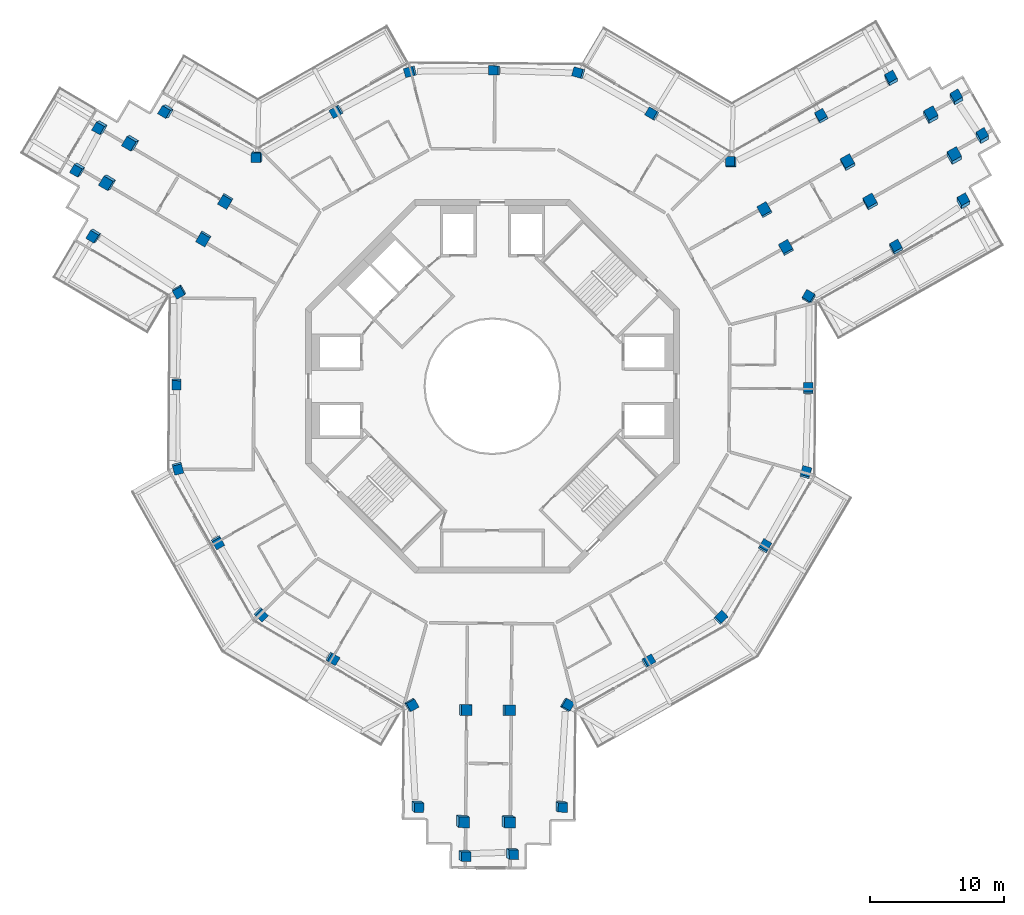
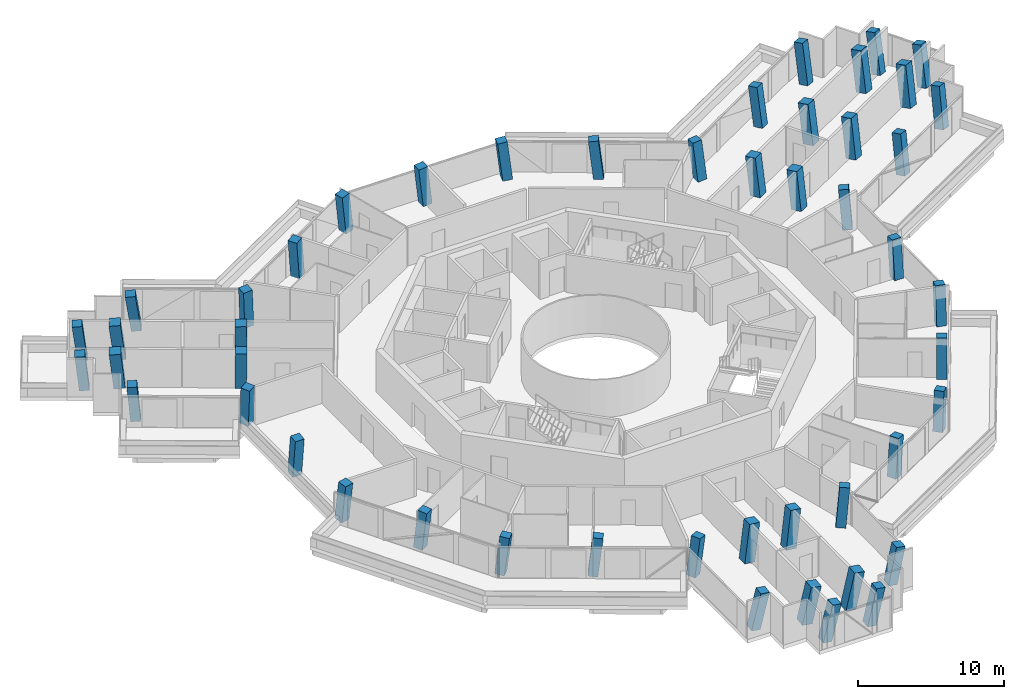
# One storey, part 1 of 24: 49 columns.
"""IFC4 building model written with IfcOpenShell, lengths in metres."""

from ifc_helpers import new_model, si_unit, direction, frame, origin, origin_2d, place, context, subcontext, project, spatial, rectangle, extrude, material, material_profile, profile_set, type_object, element, save


model = new_model("IFC4")

# Units and contexts
model_context = context("Model", 3, precision=1e-05, world=origin(), true_north=direction((0.0, 1.0)))
body_context = subcontext(model_context, "Body", "Model", "MODEL_VIEW")
ifc_project = project(units=[si_unit("LENGTHUNIT", "METRE"), si_unit("AREAUNIT", "SQUARE_METRE"), si_unit("VOLUMEUNIT", "CUBIC_METRE"), si_unit("PLANEANGLEUNIT", "RADIAN"), si_unit("MASSUNIT", "GRAM", prefix="KILO")], contexts=[model_context])

# Site, building, storey
site_placement = place(None, origin())
site = spatial("IfcSite", under=ifc_project, at=site_placement, CompositionType="ELEMENT")
building_placement = place(site_placement, origin())
building = spatial("IfcBuilding", under=site, at=building_placement, Name="Verdalira Terraces Hotel", CompositionType="ELEMENT")
storey_placement = place(building_placement, frame((0.0, 0.0, 277.5)))
storey = spatial("IfcBuildingStorey", under=building, at=storey_placement, Name="L68", CompositionType="ELEMENT", Elevation=277.5)

# Columns
ifc_material_1 = material(Name="Concrete C50", Category="concrete")
ifc_material_profile_1 = material_profile(ifc_material_1, rectangle(XDim=0.699951, YDim=0.699951, at=origin_2d()), Name="RC 700X700")
ifc_profile_set_1 = profile_set([ifc_material_profile_1], Name="Concrete C50")
column_type_1 = type_object("IfcColumnType", Name="Column RC 700X700 C50", PredefinedType="COLUMN", material=ifc_profile_set_1)
column_1_placement = place(storey_placement, frame((-24.36499, 20.618164, 0.0), z_axis=(-0.18653119, -0.06377776, 0.98037672), x_axis=(-0.844744862, 0.51990549, -0.126903112)))
element("IfcColumn", 1, at=column_1_placement, inside=storey, type_object=column_type_1, Name="Column C01", PredefinedType="COLUMN", context=body_context, shape_type="SweptSolid", body=[
    extrude(rectangle(XDim=0.699951, YDim=0.699951, at=origin_2d()), origin(), (0.0, 0.0, 1.0), 3.253906),
])
column_2_placement = place(storey_placement, frame((-29.798584, 11.307617, 0.0), z_axis=(-0.143399886, -0.089389198, 0.985619624), x_axis=(0.853046935, -0.516076127, 0.077306904)))
element("IfcColumn", 2, at=column_2_placement, inside=storey, type_object=column_type_1, Name="Column C02", PredefinedType="COLUMN", context=body_context, shape_type="SweptSolid", body=[
    extrude(rectangle(XDim=0.699951, YDim=0.699951, at=origin_2d()), origin(), (0.0, 0.0, 1.0), 3.236572),
])
column_3_placement = place(storey_placement, frame((-23.459473, 7.124023, 0.0), z_axis=(-0.032913562, -0.111814895, 0.993183833), x_axis=(-0.497183816, 0.863876563, 0.080780792)))
element("IfcColumn", 3, at=column_3_placement, inside=storey, type_object=column_type_1, Name="Column C03", PredefinedType="COLUMN", context=body_context, shape_type="SweptSolid", body=[
    extrude(rectangle(XDim=0.699951, YDim=0.699951, at=origin_2d()), origin(), (0.0, 0.0, 1.0), 3.211914),
])
column_4_placement = place(storey_placement, frame((-23.657471, 0.198242, 0.0), z_axis=(0.0, -0.112551351, 0.99364591), x_axis=(-0.008431586, -0.993610589, -0.11254735)))
element("IfcColumn", 4, at=column_4_placement, inside=storey, type_object=column_type_1, Name="Column C04", PredefinedType="COLUMN", context=body_context, shape_type="SweptSolid", body=[
    extrude(rectangle(XDim=0.699951, YDim=0.699951, at=origin_2d()), origin(), (0.0, 0.0, 1.0), 3.210449),
])
column_5_placement = place(storey_placement, frame((-23.570312, -6.104492, 0.0), z_axis=(0.029951852, -0.111825315, 0.993276389), x_axis=(-0.248830254, 0.961604099, 0.115762953)))
element("IfcColumn", 5, at=column_5_placement, inside=storey, type_object=column_type_1, Name="Column C05", PredefinedType="COLUMN", context=body_context, shape_type="SweptSolid", body=[
    extrude(rectangle(XDim=0.699951, YDim=0.699951, at=origin_2d()), origin(), (0.0, 0.0, 1.0), 3.211426),
])
column_6_placement = place(storey_placement, frame((-20.587158, -11.656982, 0.0), z_axis=(0.056275557, -0.097493601, 0.993643829), x_axis=(0.4894198, -0.864752693, -0.112565713)))
element("IfcColumn", 6, at=column_6_placement, inside=storey, type_object=column_type_1, Name="Column C06", PredefinedType="COLUMN", context=body_context, shape_type="SweptSolid", body=[
    extrude(rectangle(XDim=0.699951, YDim=0.699951, at=origin_2d()), origin(), (0.0, 0.0, 1.0), 3.210449),
])
column_7_placement = place(storey_placement, frame((-17.360107, -17.071777, 0.0), z_axis=(0.081797768, -0.081873788, 0.993280327), x_axis=(-0.696037958, 0.708616908, 0.115729164)))
element("IfcColumn", 7, at=column_7_placement, inside=storey, type_object=column_type_1, Name="Column C07", PredefinedType="COLUMN", context=body_context, shape_type="SweptSolid", body=[
    extrude(rectangle(XDim=0.699951, YDim=0.699951, at=origin_2d()), origin(), (0.0, 0.0, 1.0), 3.211426),
])
column_8_placement = place(storey_placement, frame((-12.000488, -20.388916, 0.0), z_axis=(0.097493601, -0.056275557, 0.993643829), x_axis=(0.8563225, -0.504024539, -0.112565713)))
element("IfcColumn", 8, at=column_8_placement, inside=storey, type_object=column_type_1, Name="Column C08", PredefinedType="COLUMN", context=body_context, shape_type="SweptSolid", body=[
    extrude(rectangle(XDim=0.699951, YDim=0.699951, at=origin_2d()), origin(), (0.0, 0.0, 1.0), 3.210449),
])
column_9_placement = place(storey_placement, frame((-6.100098, -23.861816, 0.0), z_axis=(0.113632685, -0.028047131, 0.993126866), x_axis=(-0.485091763, 0.870787363, 0.080095877)))
element("IfcColumn", 9, at=column_9_placement, inside=storey, type_object=column_type_1, Name="Column C09", PredefinedType="COLUMN", context=body_context, shape_type="SweptSolid", body=[
    extrude(rectangle(XDim=0.699951, YDim=0.699951, at=origin_2d()), origin(), (0.0, 0.0, 1.0), 3.211914),
])
column_10_placement = place(storey_placement, frame((-5.67334, -31.409912, 0.0), z_axis=(0.148489745, -0.129656533, 0.980377468), x_axis=(-0.027926047, -0.991522236, -0.126900718)))
element("IfcColumn", 10, at=column_10_placement, inside=storey, type_object=column_type_1, Name="Column C10", PredefinedType="COLUMN", context=body_context, shape_type="SweptSolid", body=[
    extrude(rectangle(XDim=0.699951, YDim=0.699951, at=origin_2d()), origin(), (0.0, 0.0, 1.0), 3.253906),
])
column_11_placement = place(storey_placement, frame((-2.164062, -35.099609, 0.0), z_axis=(0.165561418, -0.112848702, 0.979721689), x_axis=(0.98616634, 0.010799957, -0.165406501)))
element("IfcColumn", 11, at=column_11_placement, inside=storey, type_object=column_type_1, Name="Column C11", PredefinedType="COLUMN", context=body_context, shape_type="SweptSolid", body=[
    extrude(rectangle(XDim=0.699951, YDim=0.699951, at=origin_2d()), origin(), (0.0, 0.0, 1.0), 3.255859),
])
column_12_placement = place(storey_placement, frame((1.416992, -34.969482, 0.0), z_axis=(0.1651939, -0.096306767, 0.981547748), x_axis=(0.986227063, 0.007861, -0.165210126)))
element("IfcColumn", 12, at=column_12_placement, inside=storey, type_object=column_type_1, Name="Column C12", PredefinedType="COLUMN", context=body_context, shape_type="SweptSolid", body=[
    extrude(rectangle(XDim=0.699951, YDim=0.699951, at=origin_2d()), origin(), (0.0, 0.0, 1.0), 3.25),
])
column_13_placement = place(storey_placement, frame((5.106689, -31.460205, 0.0), z_axis=(0.149059398, -0.079432969, 0.985632639), x_axis=(0.020241421, 0.996804543, 0.077272167)))
element("IfcColumn", 13, at=column_13_placement, inside=storey, type_object=column_type_1, Name="Column C13", PredefinedType="COLUMN", context=body_context, shape_type="SweptSolid", body=[
    extrude(rectangle(XDim=0.699951, YDim=0.699951, at=origin_2d()), origin(), (0.0, 0.0, 1.0), 3.236328),
])
column_14_placement = place(storey_placement, frame((5.560303, -23.878418, 0.0), z_axis=(0.113259672, 0.027364753, 0.99318851), x_axis=(-0.499773738, -0.862383405, 0.080753168)))
element("IfcColumn", 14, at=column_14_placement, inside=storey, type_object=column_type_1, Name="Column C14", PredefinedType="COLUMN", context=body_context, shape_type="SweptSolid", body=[
    extrude(rectangle(XDim=0.699951, YDim=0.699951, at=origin_2d()), origin(), (0.0, 0.0, 1.0), 3.211914),
])
column_15_placement = place(storey_placement, frame((11.656982, -20.587158, 0.0), z_axis=(0.097493601, 0.056275557, 0.993643829), x_axis=(0.864752693, 0.4894198, -0.112565713)))
element("IfcColumn", 15, at=column_15_placement, inside=storey, type_object=column_type_1, Name="Column C15", PredefinedType="COLUMN", context=body_context, shape_type="SweptSolid", body=[
    extrude(rectangle(XDim=0.699951, YDim=0.699951, at=origin_2d()), origin(), (0.0, 0.0, 1.0), 3.210449),
])
column_16_placement = place(storey_placement, frame((17.071777, -17.360107, 0.0), z_axis=(0.081873788, 0.081797768, 0.993280327), x_axis=(-0.708616908, -0.696037958, 0.115729164)))
element("IfcColumn", 16, at=column_16_placement, inside=storey, type_object=column_type_1, Name="Column C16", PredefinedType="COLUMN", context=body_context, shape_type="SweptSolid", body=[
    extrude(rectangle(XDim=0.699951, YDim=0.699951, at=origin_2d()), origin(), (0.0, 0.0, 1.0), 3.211426),
])
column_17_placement = place(storey_placement, frame((20.388916, -12.000488, 0.0), z_axis=(0.056275557, 0.097493601, 0.993643829), x_axis=(0.504024539, 0.8563225, -0.112565713)))
element("IfcColumn", 17, at=column_17_placement, inside=storey, type_object=column_type_1, Name="Column C17", PredefinedType="COLUMN", context=body_context, shape_type="SweptSolid", body=[
    extrude(rectangle(XDim=0.699951, YDim=0.699951, at=origin_2d()), origin(), (0.0, 0.0, 1.0), 3.210449),
])
column_18_placement = place(storey_placement, frame((23.4646, -6.498535, 0.0), z_axis=(0.029951852, 0.111825315, 0.993276389), x_axis=(-0.265122623, -0.95724027, 0.115762953)))
element("IfcColumn", 18, at=column_18_placement, inside=storey, type_object=column_type_1, Name="Column C18", PredefinedType="COLUMN", context=body_context, shape_type="SweptSolid", body=[
    extrude(rectangle(XDim=0.699951, YDim=0.699951, at=origin_2d()), origin(), (0.0, 0.0, 1.0), 3.211426),
])
column_19_placement = place(storey_placement, frame((23.657471, -0.198242, 0.0), z_axis=(0.0, 0.112551351, 0.99364591), x_axis=(0.008431586, 0.993610589, -0.11254735)))
element("IfcColumn", 19, at=column_19_placement, inside=storey, type_object=column_type_1, Name="Column C19", PredefinedType="COLUMN", context=body_context, shape_type="SweptSolid", body=[
    extrude(rectangle(XDim=0.699951, YDim=0.699951, at=origin_2d()), origin(), (0.0, 0.0, 1.0), 3.210449),
])
column_20_placement = place(storey_placement, frame((23.714844, 6.647949, 0.0), z_axis=(-0.032531406, 0.112491779, 0.993119986), x_axis=(-0.511667819, -0.855438072, 0.080135812)))
element("IfcColumn", 20, at=column_20_placement, inside=storey, type_object=column_type_1, Name="Column C20", PredefinedType="COLUMN", context=body_context, shape_type="SweptSolid", body=[
    extrude(rectangle(XDim=0.699951, YDim=0.699951, at=origin_2d()), origin(), (0.0, 0.0, 1.0), 3.212158),
])
column_21_placement = place(storey_placement, frame((30.23291, 10.338623, 0.0), z_axis=(-0.004827844, 0.168823656, 0.985634448), x_axis=(0.873293774, 0.480894592, -0.078092094)))
element("IfcColumn", 21, at=column_21_placement, inside=storey, type_object=column_type_1, Name="Column C21", PredefinedType="COLUMN", context=body_context, shape_type="SweptSolid", body=[
    extrude(rectangle(XDim=0.699951, YDim=0.699951, at=origin_2d()), origin(), (0.0, 0.0, 1.0), 3.236328),
])
column_22_placement = place(storey_placement, frame((35.259521, 13.748047, 0.0), z_axis=(0.023826578, 0.21682933, 0.975918714), x_axis=(0.874343602, 0.468798431, -0.125504168)))
element("IfcColumn", 22, at=column_22_placement, inside=storey, type_object=column_type_1, Name="Column C22", PredefinedType="COLUMN", context=body_context, shape_type="SweptSolid", body=[
    extrude(rectangle(XDim=0.699951, YDim=0.699951, at=origin_2d()), origin(), (0.0, 0.0, 1.0), 3.268555),
])
column_23_placement = place(storey_placement, frame((36.700195, 18.631836, 0.0), z_axis=(0.000895257, 0.22314274, 0.974785369), x_axis=(-0.5025313, 0.842860095, -0.192481568)))
element("IfcColumn", 23, at=column_23_placement, inside=storey, type_object=column_type_1, Name="Column C23", PredefinedType="COLUMN", context=body_context, shape_type="SweptSolid", body=[
    extrude(rectangle(XDim=0.699951, YDim=0.699951, at=origin_2d()), origin(), (0.0, 0.0, 1.0), 3.272461),
])
column_24_placement = place(storey_placement, frame((34.759277, 21.531982, 0.0), z_axis=(-0.012557821, 0.214379952, 0.976669615), x_axis=(-0.499665319, 0.844708463, -0.191838944)))
element("IfcColumn", 24, at=column_24_placement, inside=storey, type_object=column_type_1, Name="Column C24", PredefinedType="COLUMN", context=body_context, shape_type="SweptSolid", body=[
    extrude(rectangle(XDim=0.699951, YDim=0.699951, at=origin_2d()), origin(), (0.0, 0.0, 1.0), 3.266113),
])
column_25_placement = place(storey_placement, frame((29.875488, 22.972656, 0.0), z_axis=(-0.019223434, 0.192309429, 0.981146036), x_axis=(-0.874260531, -0.479339798, 0.076823705)))
element("IfcColumn", 25, at=column_25_placement, inside=storey, type_object=column_type_1, Name="Column C25", PredefinedType="COLUMN", context=body_context, shape_type="SweptSolid", body=[
    extrude(rectangle(XDim=0.699951, YDim=0.699951, at=origin_2d()), origin(), (0.0, 0.0, 1.0), 3.251221),
])
column_26_placement = place(storey_placement, frame((24.665039, 20.171875, 0.0), z_axis=(-0.051140733, 0.142528315, 0.988468667), x_axis=(-0.871779432, -0.489237593, 0.025440129)))
element("IfcColumn", 26, at=column_26_placement, inside=storey, type_object=column_type_1, Name="Column C26", PredefinedType="COLUMN", context=body_context, shape_type="SweptSolid", body=[
    extrude(rectangle(XDim=0.699951, YDim=0.699951, at=origin_2d()), origin(), (0.0, 0.0, 1.0), 3.227051),
])
column_27_placement = place(storey_placement, frame((17.899414, 16.754395, 0.0), z_axis=(-0.080421043, 0.084449696, 0.993177076), x_axis=(0.996727785, -0.001318707, 0.080820686)))
element("IfcColumn", 27, at=column_27_placement, inside=storey, type_object=column_type_1, Name="Column C27", PredefinedType="COLUMN", context=body_context, shape_type="SweptSolid", body=[
    extrude(rectangle(XDim=0.699951, YDim=0.699951, at=origin_2d()), origin(), (0.0, 0.0, 1.0), 3.211914),
])
column_28_placement = place(storey_placement, frame((12.000488, 20.388916, 0.0), z_axis=(-0.097493601, 0.056275557, 0.993643829), x_axis=(-0.8563225, 0.504024539, -0.112565713)))
element("IfcColumn", 28, at=column_28_placement, inside=storey, type_object=column_type_1, Name="Column C28", PredefinedType="COLUMN", context=body_context, shape_type="SweptSolid", body=[
    extrude(rectangle(XDim=0.699951, YDim=0.699951, at=origin_2d()), origin(), (0.0, 0.0, 1.0), 3.210449),
])
column_29_placement = place(storey_placement, frame((6.498535, 23.4646, 0.0), z_axis=(-0.111825315, 0.029951852, 0.993276389), x_axis=(0.95724027, -0.265122623, 0.115762953)))
element("IfcColumn", 29, at=column_29_placement, inside=storey, type_object=column_type_1, Name="Column C29", PredefinedType="COLUMN", context=body_context, shape_type="SweptSolid", body=[
    extrude(rectangle(XDim=0.699951, YDim=0.699951, at=origin_2d()), origin(), (0.0, 0.0, 1.0), 3.211426),
])
column_30_placement = place(storey_placement, frame((0.198242, 23.657471, 0.0), z_axis=(-0.112551351, 0.0, 0.99364591), x_axis=(-0.993610589, 0.008431586, -0.11254735)))
element("IfcColumn", 30, at=column_30_placement, inside=storey, type_object=column_type_1, Name="Column C30", PredefinedType="COLUMN", context=body_context, shape_type="SweptSolid", body=[
    extrude(rectangle(XDim=0.699951, YDim=0.699951, at=origin_2d()), origin(), (0.0, 0.0, 1.0), 3.210449),
])
column_31_placement = place(storey_placement, frame((-6.104492, 23.570312, 0.0), z_axis=(-0.111825315, -0.029951852, 0.993276389), x_axis=(0.961604099, 0.248830254, 0.115762953)))
element("IfcColumn", 31, at=column_31_placement, inside=storey, type_object=column_type_1, Name="Column C31", PredefinedType="COLUMN", context=body_context, shape_type="SweptSolid", body=[
    extrude(rectangle(XDim=0.699951, YDim=0.699951, at=origin_2d()), origin(), (0.0, 0.0, 1.0), 3.211426),
])
column_32_placement = place(storey_placement, frame((-11.656982, 20.587158, 0.0), z_axis=(-0.097493601, -0.056275557, 0.993643829), x_axis=(-0.864752693, -0.4894198, -0.112565713)))
element("IfcColumn", 32, at=column_32_placement, inside=storey, type_object=column_type_1, Name="Column C32", PredefinedType="COLUMN", context=body_context, shape_type="SweptSolid", body=[
    extrude(rectangle(XDim=0.699951, YDim=0.699951, at=origin_2d()), origin(), (0.0, 0.0, 1.0), 3.210449),
])
column_33_placement = place(storey_placement, frame((-17.614746, 17.213623, 0.0), z_axis=(-0.081100673, -0.084445031, 0.993122207), x_axis=(0.996673479, -0.014909516, 0.080122924)))
element("IfcColumn", 33, at=column_33_placement, inside=storey, type_object=column_type_1, Name="Column C33", PredefinedType="COLUMN", context=body_context, shape_type="SweptSolid", body=[
    extrude(rectangle(XDim=0.699951, YDim=0.699951, at=origin_2d()), origin(), (0.0, 0.0, 1.0), 3.211914),
])
column_34_placement = place(storey_placement, frame((-29.314941, 19.423828, 0.0), z_axis=(-0.180557184, -0.086904392, 0.979717679), x_axis=(-0.484013505, -0.859282411, -0.165422687)))
element("IfcColumn", 34, at=column_34_placement, inside=storey, type_object=column_type_1, Name="Column C34", PredefinedType="COLUMN", context=body_context, shape_type="SweptSolid", body=[
    extrude(rectangle(XDim=0.699951, YDim=0.699951, at=origin_2d()), origin(), (0.0, 0.0, 1.0), 3.255859),
])
column_35_placement = place(storey_placement, frame((-30.99292, 16.257568, 0.0), z_axis=(-0.166020178, -0.094879405, 0.981547349), x_axis=(-0.486462221, -0.857939122, -0.165211895)))
element("IfcColumn", 35, at=column_35_placement, inside=storey, type_object=column_type_1, Name="Column C35", PredefinedType="COLUMN", context=body_context, shape_type="SweptSolid", body=[
    extrude(rectangle(XDim=0.699951, YDim=0.699951, at=origin_2d()), origin(), (0.0, 0.0, 1.0), 3.25),
])
ifc_material_2 = material(Name="Concrete C50", Category="concrete")
ifc_material_profile_2 = material_profile(ifc_material_2, rectangle(XDim=0.800049, YDim=0.800049, at=origin_2d()), Name="RC 800X800")
ifc_profile_set_2 = profile_set([ifc_material_profile_2], Name="Concrete C50")
column_type_2 = type_object("IfcColumnType", Name="Column RC 800X800 C50", PredefinedType="COLUMN", material=ifc_profile_set_2)
for number, where, z_axis, x_axis, name in (
    (36, (-19.964355, 13.904541, 0.0), (-0.065301809, -0.09548204, 0.993286894), (-0.861384045, 0.507894249, -0.007807571), "Column C36"),
    (37, (-21.616211, 11.098145, 0.0), (-0.051847058, -0.103237983, 0.993304486), (-0.862499259, 0.506001684, 0.007571238), "Column C37"),
):
    element("IfcColumn", number, at=place(storey_placement, frame(where, z_axis=z_axis, x_axis=x_axis)), inside=storey, type_object=column_type_2, Name=name, PredefinedType="COLUMN", context=body_context, shape_type="SweptSolid", body=[
        extrude(rectangle(XDim=0.800049, YDim=0.800049, at=origin_2d()), origin(), (0.0, 0.0, 1.0), 3.211426),
    ])
column_36_placement = place(storey_placement, frame((-27.020752, 18.255127, 0.0), z_axis=(-0.175553494, -0.076321074, 0.981507037), x_axis=(-0.847507584, 0.518997993, -0.111229394)))
element("IfcColumn", 38, at=column_36_placement, inside=storey, type_object=column_type_2, Name="Column C38", PredefinedType="COLUMN", context=body_context, shape_type="SweptSolid", body=[
    extrude(rectangle(XDim=0.800049, YDim=0.800049, at=origin_2d()), origin(), (0.0, 0.0, 1.0), 3.25),
])
column_37_placement = place(storey_placement, frame((-28.758789, 15.302246, 0.0), z_axis=(-0.161859291, -0.084428696, 0.983195487), x_axis=(-0.850032657, 0.518008523, -0.095454973)))
element("IfcColumn", 39, at=column_37_placement, inside=storey, type_object=column_type_2, Name="Column C39", PredefinedType="COLUMN", context=body_context, shape_type="SweptSolid", body=[
    extrude(rectangle(XDim=0.800049, YDim=0.800049, at=origin_2d()), origin(), (0.0, 0.0, 1.0), 3.244385),
])
for number, where, z_axis, x_axis, name in (
    (40, (-2.05957, -24.241943, 0.0), (0.115323675, -0.008818422, 0.993288823), (-0.009223744, -0.999926988, -0.007806453), "Column C40"),
    (41, (1.196777, -24.269287, 0.0), (0.115325579, 0.006689948, 0.993305218), (-0.00720185, -0.999945406, 0.007570825), "Column C41"),
):
    element("IfcColumn", number, at=place(storey_placement, frame(where, z_axis=z_axis, x_axis=x_axis)), inside=storey, type_object=column_type_2, Name=name, PredefinedType="COLUMN", context=body_context, shape_type="SweptSolid", body=[
        extrude(rectangle(XDim=0.800049, YDim=0.800049, at=origin_2d()), origin(), (0.0, 0.0, 1.0), 3.211426),
    ])
column_38_placement = place(storey_placement, frame((-2.298828, -32.52832, 0.0), z_axis=(0.153772576, -0.113808233, 0.981530275), x_axis=(-0.025738818, -0.993469142, -0.11116014)))
element("IfcColumn", 42, at=column_38_placement, inside=storey, type_object=column_type_2, Name="Column C42", PredefinedType="COLUMN", context=body_context, shape_type="SweptSolid", body=[
    extrude(rectangle(XDim=0.800049, YDim=0.800049, at=origin_2d()), origin(), (0.0, 0.0, 1.0), 3.25),
])
column_39_placement = place(storey_placement, frame((1.127197, -32.556885, 0.0), z_axis=(0.154107038, -0.097972346, 0.983184845), x_axis=(-0.023478647, -0.995153948, -0.095484936)))
element("IfcColumn", 43, at=column_39_placement, inside=storey, type_object=column_type_2, Name="Column C43", PredefinedType="COLUMN", context=body_context, shape_type="SweptSolid", body=[
    extrude(rectangle(XDim=0.800049, YDim=0.800049, at=origin_2d()), origin(), (0.0, 0.0, 1.0), 3.244385),
])
for number, where, z_axis, x_axis, name in (
    (44, (22.023926, 10.337402, 0.0), (-0.050021652, 0.104300466, 0.993287092), (0.870619547, 0.491894956, -0.007807456), "Column C44"),
    (45, (20.419434, 13.170898, 0.0), (-0.063477816, 0.096623119, 0.99329479), (0.869721077, 0.493485402, 0.007576699), "Column C45"),
):
    element("IfcColumn", number, at=place(storey_placement, frame(where, z_axis=z_axis, x_axis=x_axis)), inside=storey, type_object=column_type_2, Name=name, PredefinedType="COLUMN", context=body_context, shape_type="SweptSolid", body=[
        extrude(rectangle(XDim=0.800049, YDim=0.800049, at=origin_2d()), origin(), (0.0, 0.0, 1.0), 3.211426),
    ])
column_40_placement = place(storey_placement, frame((28.307129, 13.739746, 0.0), z_axis=(-0.020847577, 0.15975589, 0.986936388), x_axis=(0.872968733, 0.484081991, -0.059918417)))
element("IfcColumn", 46, at=column_40_placement, inside=storey, type_object=column_type_2, Name="Column C46", PredefinedType="COLUMN", context=body_context, shape_type="SweptSolid", body=[
    extrude(rectangle(XDim=0.800049, YDim=0.800049, at=origin_2d()), origin(), (0.0, 0.0, 1.0), 3.232178),
])
column_41_placement = place(storey_placement, frame((26.635986, 16.691162, 0.0), z_axis=(-0.034775907, 0.151879996, 0.987786973), x_axis=(0.872445563, 0.48671559, -0.044121128)))
element("IfcColumn", 47, at=column_41_placement, inside=storey, type_object=column_type_2, Name="Column C47", PredefinedType="COLUMN", context=body_context, shape_type="SweptSolid", body=[
    extrude(rectangle(XDim=0.800049, YDim=0.800049, at=origin_2d()), origin(), (0.0, 0.0, 1.0), 3.229492),
])
column_42_placement = place(storey_placement, frame((34.590332, 17.14209, 0.0), z_axis=(0.007999663, 0.213748012, 0.976856076), x_axis=(0.874870564, 0.471616562, -0.110359934)))
element("IfcColumn", 48, at=column_42_placement, inside=storey, type_object=column_type_2, Name="Column C48", PredefinedType="COLUMN", context=body_context, shape_type="SweptSolid", body=[
    extrude(rectangle(XDim=0.800049, YDim=0.800049, at=origin_2d()), origin(), (0.0, 0.0, 1.0), 3.265625),
])
column_43_placement = place(storey_placement, frame((32.852539, 20.211182, 0.0), z_axis=(-0.006291139, 0.205810125, 0.978571721), x_axis=(0.874883516, 0.47506656, -0.094289966)))
element("IfcColumn", 49, at=column_43_placement, inside=storey, type_object=column_type_2, Name="Column C49", PredefinedType="COLUMN", context=body_context, shape_type="SweptSolid", body=[
    extrude(rectangle(XDim=0.800049, YDim=0.800049, at=origin_2d()), origin(), (0.0, 0.0, 1.0), 3.259766),
])

save(model, "model.ifc")
